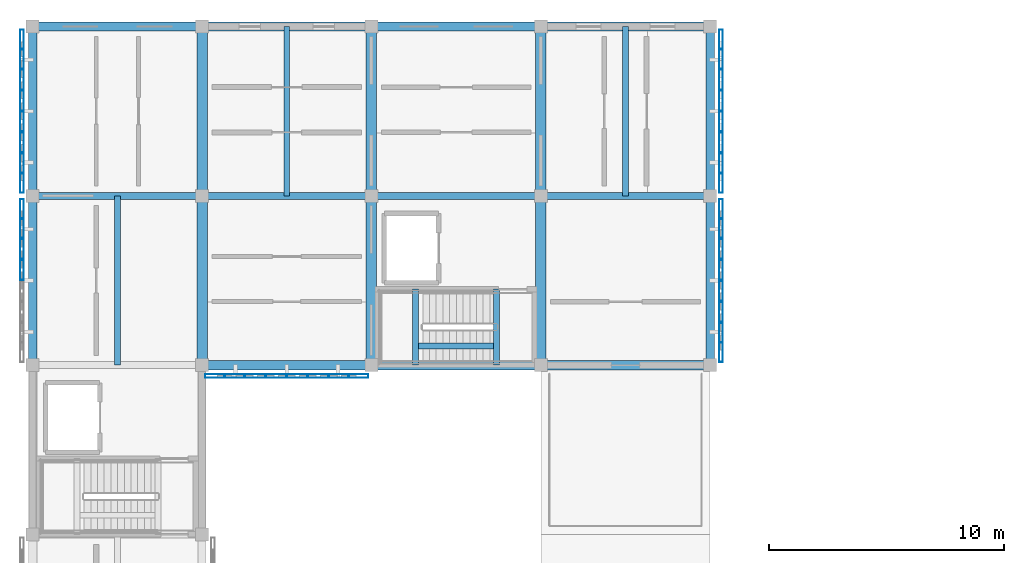
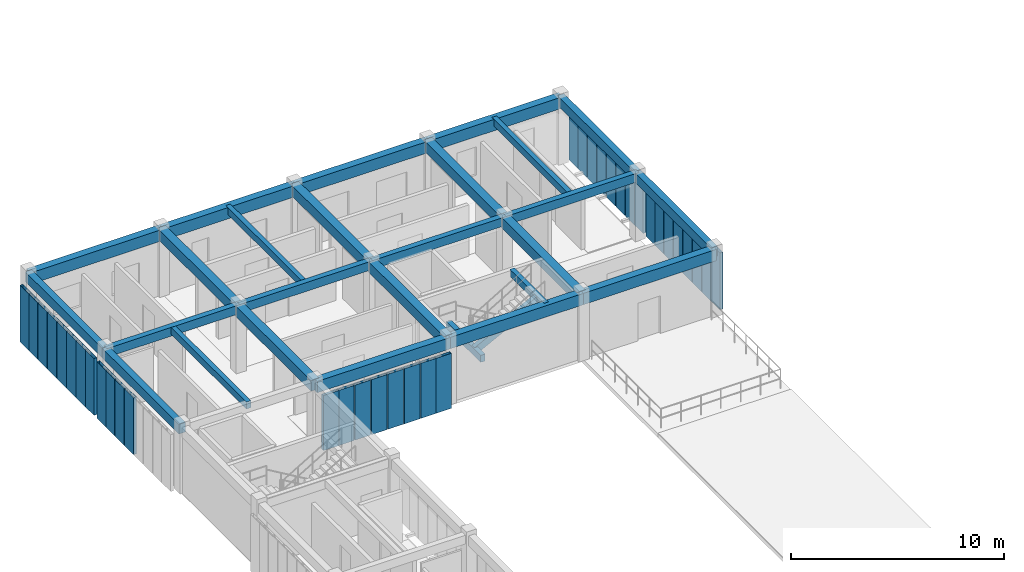
# One storey, part 4 of 33: 36 members, 27 beams, 5 elements without a shape of their own.
"""IFC4 building model written with IfcOpenShell, lengths in metres."""

from ifc_helpers import new_model, si_unit, direction, frame, origin, origin_2d, place, context, subcontext, project, spatial, rectangle, hollow_rectangle, extrude, material, material_profile, profile_set, type_object, element, aggregate, save


model = new_model("IFC4")

# Units and contexts
model_context = context("Model", 3, precision=1e-05, world=origin(), true_north=direction((0.0, 1.0)))
body_context = subcontext(model_context, "Body", "Model", "MODEL_VIEW")
ifc_project = project(units=[si_unit("LENGTHUNIT", "METRE"), si_unit("AREAUNIT", "SQUARE_METRE"), si_unit("VOLUMEUNIT", "CUBIC_METRE"), si_unit("PLANEANGLEUNIT", "RADIAN"), si_unit("MASSUNIT", "GRAM", prefix="KILO")], contexts=[model_context])

# Site, building, storey
site_placement = place(None, origin())
site = spatial("IfcSite", under=ifc_project, at=site_placement, CompositionType="ELEMENT")
building_placement = place(site_placement, origin())
building = spatial("IfcBuilding", under=site, at=building_placement, Name="Aldebral Square Health Centre", CompositionType="ELEMENT")
storey_placement = place(building_placement, frame((0.0, 0.0, 17.550048828125)))
storey = spatial("IfcBuildingStorey", under=building, at=storey_placement, Name="L04", CompositionType="ELEMENT", Elevation=17.550048828125)

# Beams
ifc_material_1 = material(Name="Concrete C40/50", Category="concrete")
ifc_material_profile_1 = material_profile(ifc_material_1, rectangle(XDim=0.39990234375, YDim=0.64990234375, at=origin_2d()), Name="RC 400x650")
ifc_profile_set_1 = profile_set([ifc_material_profile_1], Name="Concrete C40/50")
beam_type_1 = type_object("IfcBeamType", Name="BM-B1", PredefinedType="BEAM", material=ifc_profile_set_1)
for number, where, z_axis, x_axis, name in (
    (1, (0.0, 115.199951171875, 3.474853515625), (1.0, 0.0, 0.0), (0.0, 1.0, 0.0), "L04 X-beam 1-2/G17"),
    (2, (7.199951171875, 100.800048828125, 3.474853515625), (1.0, 0.0, 0.0), (0.0, 1.0, 0.0), "L04 X-beam 2-3/G15"),
    (3, (7.199951171875, 115.199951171875, 3.474853515625), (1.0, 0.0, 0.0), (0.0, 1.0, 0.0), "L04 X-beam 2-3/G17"),
):
    element("IfcBeam", number, at=place(storey_placement, frame(where, z_axis=z_axis, x_axis=x_axis)), inside=storey, type_object=beam_type_1, Name=name, PredefinedType="BEAM", context=body_context, shape_type="SweptSolid", body=[
        extrude(rectangle(XDim=0.39990234375, YDim=0.64990234375, at=origin_2d()), origin(), (0.0, 0.0, 1.0), 7.199951171875),
    ])
for number, where, z_axis, x_axis, name in (
    (4, (14.39990234375, 100.800048828125, 3.474853515625), (1.0, 0.0, 0.0), (0.0, 1.0, 0.0), "L04 X-beam 3-4/G15"),
    (5, (14.39990234375, 115.199951171875, 3.474853515625), (1.0, 0.0, 0.0), (0.0, 1.0, 0.0), "L04 X-beam 3-4/G17"),
):
    element("IfcBeam", number, at=place(storey_placement, frame(where, z_axis=z_axis, x_axis=x_axis)), inside=storey, type_object=beam_type_1, Name=name, PredefinedType="BEAM", context=body_context, shape_type="SweptSolid", body=[
        extrude(rectangle(XDim=0.39990234375, YDim=0.64990234375, at=origin_2d()), origin(), (0.0, 0.0, 1.0), 7.2001953125),
    ])
for number, where, z_axis, x_axis, name in (
    (6, (21.60009765625, 100.800048828125, 3.474853515625), (1.0, 0.0, 0.0), (0.0, 1.0, 0.0), "L04 X-beam 4-5/G15"),
    (7, (21.60009765625, 115.199951171875, 3.474853515625), (1.0, 0.0, 0.0), (0.0, 1.0, 0.0), "L04 X-beam 4-5/G17"),
):
    element("IfcBeam", number, at=place(storey_placement, frame(where, z_axis=z_axis, x_axis=x_axis)), inside=storey, type_object=beam_type_1, Name=name, PredefinedType="BEAM", context=body_context, shape_type="SweptSolid", body=[
        extrude(rectangle(XDim=0.39990234375, YDim=0.64990234375, at=origin_2d()), origin(), (0.0, 0.0, 1.0), 7.199951171875),
    ])
ifc_material_profile_2 = material_profile(ifc_material_1, rectangle(XDim=0.35009765625, YDim=0.550048828125, at=origin_2d()), Name="RC 350x550")
ifc_profile_set_2 = profile_set([ifc_material_profile_2], Name="Concrete C40/50")
beam_type_2 = type_object("IfcBeamType", Name="BM-B3", PredefinedType="BEAM", material=ifc_profile_set_2)
for number, where, z_axis, x_axis, name in (
    (8, (0.0, 100.800048828125, 3.52490234375), (0.0, 1.0, 0.0), (-1.0, 0.0, 0.0), "L04 Y-beam G1/15-16"),
    (9, (0.0, 108.0, 3.52490234375), (0.0, 1.0, 0.0), (-1.0, 0.0, 0.0), "L04 Y-beam G1/16-17"),
    (10, (28.800048828125, 100.800048828125, 3.52490234375), (0.0, 1.0, 0.0), (-1.0, 0.0, 0.0), "L04 Y-beam G5/15-16"),
    (11, (28.800048828125, 108.0, 3.52490234375), (0.0, 1.0, 0.0), (-1.0, 0.0, 0.0), "L04 Y-beam G5/16-17"),
):
    element("IfcBeam", number, at=place(storey_placement, frame(where, z_axis=z_axis, x_axis=x_axis)), inside=storey, type_object=beam_type_2, Name=name, PredefinedType="BEAM", context=body_context, shape_type="SweptSolid", body=[
        extrude(rectangle(XDim=0.35009765625, YDim=0.550048828125, at=origin_2d()), origin(), (0.0, 0.0, 1.0), 7.199951171875),
    ])
ifc_material_profile_3 = material_profile(ifc_material_1, rectangle(XDim=0.300048828125, YDim=0.5, at=origin_2d()), Name="RC 300x500")
ifc_profile_set_3 = profile_set([ifc_material_profile_3], Name="Concrete C40/50")
beam_type_3 = type_object("IfcBeamType", Name="BM-B4", PredefinedType="BEAM", material=ifc_profile_set_3)
for number, where, z_axis, x_axis, name in (
    (12, (0.0, 108.0, 3.550048828125), (1.0, 0.0, 0.0), (0.0, 1.0, 0.0), "L04 X-beam 1-2/G16"),
    (13, (7.199951171875, 108.0, 3.550048828125), (1.0, 0.0, 0.0), (0.0, 1.0, 0.0), "L04 X-beam 2-3/G16"),
):
    element("IfcBeam", number, at=place(storey_placement, frame(where, z_axis=z_axis, x_axis=x_axis)), inside=storey, type_object=beam_type_3, Name=name, PredefinedType="BEAM", context=body_context, shape_type="SweptSolid", body=[
        extrude(rectangle(XDim=0.300048828125, YDim=0.5, at=origin_2d()), origin(), (0.0, 0.0, 1.0), 7.199951171875),
    ])
beam_1_placement = place(storey_placement, frame((14.39990234375, 108.0, 3.550048828125), z_axis=(1.0, 0.0, 0.0), x_axis=(0.0, 1.0, 0.0)))
element("IfcBeam", 14, at=beam_1_placement, inside=storey, type_object=beam_type_3, Name="L04 X-beam 3-4/G16", PredefinedType="BEAM", context=body_context, shape_type="SweptSolid", body=[
    extrude(rectangle(XDim=0.300048828125, YDim=0.5, at=origin_2d()), origin(), (0.0, 0.0, 1.0), 7.2001953125),
])
beam_2_placement = place(storey_placement, frame((21.60009765625, 108.0, 3.550048828125), z_axis=(1.0, 0.0, 0.0), x_axis=(0.0, 1.0, 0.0)))
element("IfcBeam", 15, at=beam_2_placement, inside=storey, type_object=beam_type_3, Name="L04 X-beam 4-5/G16", PredefinedType="BEAM", context=body_context, shape_type="SweptSolid", body=[
    extrude(rectangle(XDim=0.300048828125, YDim=0.5, at=origin_2d()), origin(), (0.0, 0.0, 1.0), 7.199951171875),
])
ifc_material_profile_4 = material_profile(ifc_material_1, rectangle(XDim=0.25, YDim=0.39990234375, at=origin_2d()), Name="RC 250x400")
ifc_profile_set_4 = profile_set([ifc_material_profile_4], Name="Concrete C40/50")
beam_type_4 = type_object("IfcBeamType", Name="BM-B6", PredefinedType="JOIST", material=ifc_profile_set_4)
for number, where, z_axis, x_axis, name in (
    (16, (3.60009765625, 100.800048828125, 3.599853515625), (0.0, 1.0, 0.0), (-1.0, 0.0, 0.0), "L04 secondary rib 1.15"),
    (17, (10.800048828125, 108.0, 3.599853515625), (0.0, 1.0, 0.0), (-1.0, 0.0, 0.0), "L04 secondary rib 2.16"),
    (18, (25.199951171875, 108.0, 3.599853515625), (0.0, 1.0, 0.0), (-1.0, 0.0, 0.0), "L04 secondary rib 4.16"),
):
    element("IfcBeam", number, at=place(storey_placement, frame(where, z_axis=z_axis, x_axis=x_axis)), inside=storey, type_object=beam_type_4, Name=name, PredefinedType="JOIST", context=body_context, shape_type="SweptSolid", body=[
        extrude(rectangle(XDim=0.25, YDim=0.39990234375, at=origin_2d()), origin(), (0.0, 0.0, 1.0), 7.199951171875),
    ])
for number, where, z_axis, x_axis, name in (
    (19, (16.280029296875, 100.81005859375, 1.824951171875), (0.0, 1.0, 0.0), (-1.0, 0.0, 0.0), "L04 WC-C2 half-landing beam"),
    (20, (19.719970703125, 100.81005859375, 3.599853515625), (0.0, 1.0, 0.0), (-1.0, 0.0, 0.0), "L04 WC-C2 upper landing beam"),
):
    element("IfcBeam", number, at=place(storey_placement, frame(where, z_axis=z_axis, x_axis=x_axis)), inside=storey, type_object=beam_type_4, Name=name, PredefinedType="JOIST", context=body_context, shape_type="SweptSolid", body=[
        extrude(rectangle(XDim=0.25, YDim=0.39990234375, at=origin_2d()), origin(), (0.0, 0.0, 1.0), 3.219970703125),
    ])
beam_3_placement = place(storey_placement, frame((16.280029296875, 101.6201171875, 1.824951171875), z_axis=(0.888678694458, 0.0, 0.458530454841), x_axis=(0.0, 1.0, 0.0)))
element("IfcBeam", 21, at=beam_3_placement, inside=storey, type_object=beam_type_4, Name="L04 WC-C2 flight stringer beam", PredefinedType="JOIST", context=body_context, shape_type="SweptSolid", body=[
    extrude(rectangle(XDim=0.25, YDim=0.39990234375, at=origin_2d()), origin(), (0.0, 0.0, 1.0), 3.870849609375),
])
ifc_material_profile_5 = material_profile(ifc_material_1, rectangle(XDim=0.449951171875, YDim=0.60009765625, at=origin_2d()), Name="RC 450x600")
ifc_profile_set_5 = profile_set([ifc_material_profile_5], Name="Concrete C40/50")
beam_type_5 = type_object("IfcBeamType", Name="BM-LN1", PredefinedType="LINTEL", material=ifc_profile_set_5)
for number, where, z_axis, x_axis, name in (
    (22, (7.199951171875, 100.800048828125, 3.5), (0.0, 1.0, 0.0), (-1.0, 0.0, 0.0), "L04 Y-beam G2/15-16"),
    (23, (7.199951171875, 108.0, 3.5), (0.0, 1.0, 0.0), (-1.0, 0.0, 0.0), "L04 Y-beam G2/16-17"),
    (24, (14.39990234375, 100.800048828125, 3.5), (0.0, 1.0, 0.0), (-1.0, 0.0, 0.0), "L04 Y-beam G3/15-16"),
    (25, (14.39990234375, 108.0, 3.5), (0.0, 1.0, 0.0), (-1.0, 0.0, 0.0), "L04 Y-beam G3/16-17"),
    (26, (21.60009765625, 100.800048828125, 3.5), (0.0, 1.0, 0.0), (-1.0, 0.0, 0.0), "L04 Y-beam G4/15-16"),
    (27, (21.60009765625, 108.0, 3.5), (0.0, 1.0, 0.0), (-1.0, 0.0, 0.0), "L04 Y-beam G4/16-17"),
):
    element("IfcBeam", number, at=place(storey_placement, frame(where, z_axis=z_axis, x_axis=x_axis)), inside=storey, type_object=beam_type_5, Name=name, PredefinedType="LINTEL", context=body_context, shape_type="SweptSolid", body=[
        extrude(rectangle(XDim=0.449951171875, YDim=0.60009765625, at=origin_2d()), origin(), (0.0, 0.0, 1.0), 7.199951171875),
    ])

# Curtain wall, members
ifc_material_2 = material(Name="Aluminium and low-E solar glass", Category="aluminium")
curtain_wall_type = type_object("IfcCurtainWallType", Name="CW-FIN-SYS", PredefinedType="USERDEFINED", material=ifc_material_2)
curtain_wall_1_placement = place(storey_placement, origin())
curtain_wall_1 = element("IfcCurtainWall", 28, at=curtain_wall_1_placement, inside=storey, type_object=curtain_wall_type, Name="L04 V4 finned curtain wall L04-V4-00-14-W", ObjectType="SOLAR_CURTAIN_WALL", PredefinedType="USERDEFINED")
ifc_material_3 = material(Name="Sienna-terracotta clad aluminium fin", Category="masonry")
ifc_material_profile_6 = material_profile(ifc_material_3, hollow_rectangle(XDim=0.159912109375, YDim=0.85009765625, WallThickness=0.006103515625, at=origin_2d()), Name="FIN 160x850x6")
ifc_profile_set_6 = profile_set([ifc_material_profile_6], Name="Sienna-terracotta clad aluminium fin")
member_type = type_object("IfcMemberType", Name="CWM-FIN", PredefinedType="MULLION", material=ifc_profile_set_6)
member_1_placement = place(storey_placement, frame((-0.4599609375, 107.43994140625, 0.0), z_axis=(0.0, 0.0, 1.0), x_axis=(1.0, 0.0, 0.0)))
member_1 = element("IfcMember", 29, at=member_1_placement, type_object=member_type, Name="CW1 mullion 1", PredefinedType="MULLION", context=body_context, shape_type="SweptSolid", body=[
    extrude(hollow_rectangle(XDim=0.159912109375, YDim=0.85009765625, WallThickness=0.006103515625, at=origin_2d()), origin(), (0.0, 0.0, 1.0), 3.25),
])
member_2_placement = place(storey_placement, frame((-0.4599609375, 106.628662109375, 0.0), z_axis=(0.0, 0.0, 1.0), x_axis=(1.0, 0.0, 0.0)))
member_2 = element("IfcMember", 30, at=member_2_placement, type_object=member_type, Name="CW1 mullion 2", PredefinedType="MULLION", context=body_context, shape_type="SweptSolid", body=[
    extrude(hollow_rectangle(XDim=0.159912109375, YDim=0.85009765625, WallThickness=0.006103515625, at=origin_2d()), origin(), (0.0, 0.0, 1.0), 3.25),
])
member_3_placement = place(storey_placement, frame((-0.4599609375, 105.737060546875, 0.0), z_axis=(0.0, 0.0, 1.0), x_axis=(1.0, 0.0, 0.0)))
member_3 = element("IfcMember", 31, at=member_3_placement, type_object=member_type, Name="CW1 mullion 3", PredefinedType="MULLION", context=body_context, shape_type="SweptSolid", body=[
    extrude(hollow_rectangle(XDim=0.159912109375, YDim=0.85009765625, WallThickness=0.006103515625, at=origin_2d()), origin(), (0.0, 0.0, 1.0), 3.25),
])
member_4_placement = place(storey_placement, frame((-0.4599609375, 104.845703125, 0.0), z_axis=(0.0, 0.0, 1.0), x_axis=(1.0, 0.0, 0.0)))
member_4 = element("IfcMember", 32, at=member_4_placement, type_object=member_type, Name="CW1 mullion 4", PredefinedType="MULLION", context=body_context, shape_type="SweptSolid", body=[
    extrude(hollow_rectangle(XDim=0.159912109375, YDim=0.85009765625, WallThickness=0.006103515625, at=origin_2d()), origin(), (0.0, 0.0, 1.0), 3.25),
])
aggregate(curtain_wall_1, [member_1, member_2, member_3, member_4])

curtain_wall_2_placement = place(storey_placement, origin())
curtain_wall_2 = element("IfcCurtainWall", 33, at=curtain_wall_2_placement, inside=storey, type_object=curtain_wall_type, Name="L04 V4 finned curtain wall L04-V4-00-15-W", ObjectType="SOLAR_CURTAIN_WALL", PredefinedType="USERDEFINED")
member_5_placement = place(storey_placement, frame((-0.4599609375, 114.639892578125, 0.0), z_axis=(0.0, 0.0, 1.0), x_axis=(1.0, 0.0, 0.0)))
member_5 = element("IfcMember", 34, at=member_5_placement, type_object=member_type, Name="CW1 mullion 1", PredefinedType="MULLION", context=body_context, shape_type="SweptSolid", body=[
    extrude(hollow_rectangle(XDim=0.159912109375, YDim=0.85009765625, WallThickness=0.006103515625, at=origin_2d()), origin(), (0.0, 0.0, 1.0), 3.25),
])
member_6_placement = place(storey_placement, frame((-0.4599609375, 113.82861328125, 0.0), z_axis=(0.0, 0.0, 1.0), x_axis=(1.0, 0.0, 0.0)))
member_6 = element("IfcMember", 35, at=member_6_placement, type_object=member_type, Name="CW1 mullion 2", PredefinedType="MULLION", context=body_context, shape_type="SweptSolid", body=[
    extrude(hollow_rectangle(XDim=0.159912109375, YDim=0.85009765625, WallThickness=0.006103515625, at=origin_2d()), origin(), (0.0, 0.0, 1.0), 3.25),
])
member_7_placement = place(storey_placement, frame((-0.4599609375, 112.937255859375, 0.0), z_axis=(0.0, 0.0, 1.0), x_axis=(1.0, 0.0, 0.0)))
member_7 = element("IfcMember", 36, at=member_7_placement, type_object=member_type, Name="CW1 mullion 3", PredefinedType="MULLION", context=body_context, shape_type="SweptSolid", body=[
    extrude(hollow_rectangle(XDim=0.159912109375, YDim=0.85009765625, WallThickness=0.006103515625, at=origin_2d()), origin(), (0.0, 0.0, 1.0), 3.25),
])
member_8_placement = place(storey_placement, frame((-0.4599609375, 112.045654296875, 0.0), z_axis=(0.0, 0.0, 1.0), x_axis=(1.0, 0.0, 0.0)))
member_8 = element("IfcMember", 37, at=member_8_placement, type_object=member_type, Name="CW1 mullion 4", PredefinedType="MULLION", context=body_context, shape_type="SweptSolid", body=[
    extrude(hollow_rectangle(XDim=0.159912109375, YDim=0.85009765625, WallThickness=0.006103515625, at=origin_2d()), origin(), (0.0, 0.0, 1.0), 3.25),
])
member_9_placement = place(storey_placement, frame((-0.4599609375, 111.154296875, 0.0), z_axis=(0.0, 0.0, 1.0), x_axis=(1.0, 0.0, 0.0)))
member_9 = element("IfcMember", 38, at=member_9_placement, type_object=member_type, Name="CW1 mullion 5", PredefinedType="MULLION", context=body_context, shape_type="SweptSolid", body=[
    extrude(hollow_rectangle(XDim=0.159912109375, YDim=0.85009765625, WallThickness=0.006103515625, at=origin_2d()), origin(), (0.0, 0.0, 1.0), 3.25),
])
member_10_placement = place(storey_placement, frame((-0.4599609375, 110.262939453125, 0.0), z_axis=(0.0, 0.0, 1.0), x_axis=(1.0, 0.0, 0.0)))
member_10 = element("IfcMember", 39, at=member_10_placement, type_object=member_type, Name="CW1 mullion 6", PredefinedType="MULLION", context=body_context, shape_type="SweptSolid", body=[
    extrude(hollow_rectangle(XDim=0.159912109375, YDim=0.85009765625, WallThickness=0.006103515625, at=origin_2d()), origin(), (0.0, 0.0, 1.0), 3.25),
])
member_11_placement = place(storey_placement, frame((-0.4599609375, 109.371337890625, 0.0), z_axis=(0.0, 0.0, 1.0), x_axis=(1.0, 0.0, 0.0)))
member_11 = element("IfcMember", 40, at=member_11_placement, type_object=member_type, Name="CW1 mullion 7", PredefinedType="MULLION", context=body_context, shape_type="SweptSolid", body=[
    extrude(hollow_rectangle(XDim=0.159912109375, YDim=0.85009765625, WallThickness=0.006103515625, at=origin_2d()), origin(), (0.0, 0.0, 1.0), 3.25),
])
member_12_placement = place(storey_placement, frame((-0.4599609375, 108.56005859375, 0.0), z_axis=(0.0, 0.0, 1.0), x_axis=(1.0, 0.0, 0.0)))
member_12 = element("IfcMember", 41, at=member_12_placement, type_object=member_type, Name="CW1 mullion 8", PredefinedType="MULLION", context=body_context, shape_type="SweptSolid", body=[
    extrude(hollow_rectangle(XDim=0.159912109375, YDim=0.85009765625, WallThickness=0.006103515625, at=origin_2d()), origin(), (0.0, 0.0, 1.0), 3.25),
])
aggregate(curtain_wall_2, [member_5, member_6, member_7, member_8, member_9, member_10, member_11, member_12])

curtain_wall_3_placement = place(storey_placement, origin())
curtain_wall_3 = element("IfcCurtainWall", 42, at=curtain_wall_3_placement, inside=storey, type_object=curtain_wall_type, Name="L04 V4 finned curtain wall L04-V4-01-14-S", ObjectType="SOLAR_CURTAIN_WALL", PredefinedType="USERDEFINED")
member_13_placement = place(storey_placement, frame((7.760009765625, 100.340087890625, 0.0), z_axis=(0.0, 0.0, 1.0), x_axis=(0.0, 1.0, 0.0)))
member_13 = element("IfcMember", 43, at=member_13_placement, type_object=member_type, Name="CW1 mullion 1", PredefinedType="MULLION", context=body_context, shape_type="SweptSolid", body=[
    extrude(hollow_rectangle(XDim=0.159912109375, YDim=0.85009765625, WallThickness=0.006103515625, at=origin_2d()), origin(), (0.0, 0.0, 1.0), 3.14990234375),
])
member_14_placement = place(storey_placement, frame((8.571533203125, 100.340087890625, 0.0), z_axis=(0.0, 0.0, 1.0), x_axis=(0.0, 1.0, 0.0)))
member_14 = element("IfcMember", 44, at=member_14_placement, type_object=member_type, Name="CW1 mullion 2", PredefinedType="MULLION", context=body_context, shape_type="SweptSolid", body=[
    extrude(hollow_rectangle(XDim=0.159912109375, YDim=0.85009765625, WallThickness=0.006103515625, at=origin_2d()), origin(), (0.0, 0.0, 1.0), 3.14990234375),
])
member_15_placement = place(storey_placement, frame((9.462890625, 100.340087890625, 0.0), z_axis=(0.0, 0.0, 1.0), x_axis=(0.0, 1.0, 0.0)))
member_15 = element("IfcMember", 45, at=member_15_placement, type_object=member_type, Name="CW1 mullion 3", PredefinedType="MULLION", context=body_context, shape_type="SweptSolid", body=[
    extrude(hollow_rectangle(XDim=0.159912109375, YDim=0.85009765625, WallThickness=0.006103515625, at=origin_2d()), origin(), (0.0, 0.0, 1.0), 3.14990234375),
])
member_16_placement = place(storey_placement, frame((10.354248046875, 100.340087890625, 0.0), z_axis=(0.0, 0.0, 1.0), x_axis=(0.0, 1.0, 0.0)))
member_16 = element("IfcMember", 46, at=member_16_placement, type_object=member_type, Name="CW1 mullion 4", PredefinedType="MULLION", context=body_context, shape_type="SweptSolid", body=[
    extrude(hollow_rectangle(XDim=0.159912109375, YDim=0.85009765625, WallThickness=0.006103515625, at=origin_2d()), origin(), (0.0, 0.0, 1.0), 3.14990234375),
])
member_17_placement = place(storey_placement, frame((11.24560546875, 100.340087890625, 0.0), z_axis=(0.0, 0.0, 1.0), x_axis=(0.0, 1.0, 0.0)))
member_17 = element("IfcMember", 47, at=member_17_placement, type_object=member_type, Name="CW1 mullion 5", PredefinedType="MULLION", context=body_context, shape_type="SweptSolid", body=[
    extrude(hollow_rectangle(XDim=0.159912109375, YDim=0.85009765625, WallThickness=0.006103515625, at=origin_2d()), origin(), (0.0, 0.0, 1.0), 3.14990234375),
])
member_18_placement = place(storey_placement, frame((12.13720703125, 100.340087890625, 0.0), z_axis=(0.0, 0.0, 1.0), x_axis=(0.0, 1.0, 0.0)))
member_18 = element("IfcMember", 48, at=member_18_placement, type_object=member_type, Name="CW1 mullion 6", PredefinedType="MULLION", context=body_context, shape_type="SweptSolid", body=[
    extrude(hollow_rectangle(XDim=0.159912109375, YDim=0.85009765625, WallThickness=0.006103515625, at=origin_2d()), origin(), (0.0, 0.0, 1.0), 3.14990234375),
])
member_19_placement = place(storey_placement, frame((13.028564453125, 100.340087890625, 0.0), z_axis=(0.0, 0.0, 1.0), x_axis=(0.0, 1.0, 0.0)))
member_19 = element("IfcMember", 49, at=member_19_placement, type_object=member_type, Name="CW1 mullion 7", PredefinedType="MULLION", context=body_context, shape_type="SweptSolid", body=[
    extrude(hollow_rectangle(XDim=0.159912109375, YDim=0.85009765625, WallThickness=0.006103515625, at=origin_2d()), origin(), (0.0, 0.0, 1.0), 3.14990234375),
])
member_20_placement = place(storey_placement, frame((13.840087890625, 100.340087890625, 0.0), z_axis=(0.0, 0.0, 1.0), x_axis=(0.0, 1.0, 0.0)))
member_20 = element("IfcMember", 50, at=member_20_placement, type_object=member_type, Name="CW1 mullion 8", PredefinedType="MULLION", context=body_context, shape_type="SweptSolid", body=[
    extrude(hollow_rectangle(XDim=0.159912109375, YDim=0.85009765625, WallThickness=0.006103515625, at=origin_2d()), origin(), (0.0, 0.0, 1.0), 3.14990234375),
])
aggregate(curtain_wall_3, [member_13, member_14, member_15, member_16, member_17, member_18, member_19, member_20])

curtain_wall_4_placement = place(storey_placement, origin())
curtain_wall_4 = element("IfcCurtainWall", 51, at=curtain_wall_4_placement, inside=storey, type_object=curtain_wall_type, Name="L04 V4 finned curtain wall L04-V4-03-14-E", ObjectType="SOLAR_CURTAIN_WALL", PredefinedType="USERDEFINED")
member_21_placement = place(storey_placement, frame((29.260009765625, 101.360107421875, 0.0), z_axis=(0.0, 0.0, 1.0), x_axis=(-1.0, 0.0, 0.0)))
member_21 = element("IfcMember", 52, at=member_21_placement, type_object=member_type, Name="CW1 mullion 1", PredefinedType="MULLION", context=body_context, shape_type="SweptSolid", body=[
    extrude(hollow_rectangle(XDim=0.159912109375, YDim=0.85009765625, WallThickness=0.006103515625, at=origin_2d()), origin(), (0.0, 0.0, 1.0), 3.25),
])
member_22_placement = place(storey_placement, frame((29.260009765625, 102.17138671875, 0.0), z_axis=(0.0, 0.0, 1.0), x_axis=(-1.0, 0.0, 0.0)))
member_22 = element("IfcMember", 53, at=member_22_placement, type_object=member_type, Name="CW1 mullion 2", PredefinedType="MULLION", context=body_context, shape_type="SweptSolid", body=[
    extrude(hollow_rectangle(XDim=0.159912109375, YDim=0.85009765625, WallThickness=0.006103515625, at=origin_2d()), origin(), (0.0, 0.0, 1.0), 3.25),
])
member_23_placement = place(storey_placement, frame((29.260009765625, 103.062744140625, 0.0), z_axis=(0.0, 0.0, 1.0), x_axis=(-1.0, 0.0, 0.0)))
member_23 = element("IfcMember", 54, at=member_23_placement, type_object=member_type, Name="CW1 mullion 3", PredefinedType="MULLION", context=body_context, shape_type="SweptSolid", body=[
    extrude(hollow_rectangle(XDim=0.159912109375, YDim=0.85009765625, WallThickness=0.006103515625, at=origin_2d()), origin(), (0.0, 0.0, 1.0), 3.25),
])
member_24_placement = place(storey_placement, frame((29.260009765625, 103.954345703125, 0.0), z_axis=(0.0, 0.0, 1.0), x_axis=(-1.0, 0.0, 0.0)))
member_24 = element("IfcMember", 55, at=member_24_placement, type_object=member_type, Name="CW1 mullion 4", PredefinedType="MULLION", context=body_context, shape_type="SweptSolid", body=[
    extrude(hollow_rectangle(XDim=0.159912109375, YDim=0.85009765625, WallThickness=0.006103515625, at=origin_2d()), origin(), (0.0, 0.0, 1.0), 3.25),
])
member_25_placement = place(storey_placement, frame((29.260009765625, 104.845703125, 0.0), z_axis=(0.0, 0.0, 1.0), x_axis=(-1.0, 0.0, 0.0)))
member_25 = element("IfcMember", 56, at=member_25_placement, type_object=member_type, Name="CW1 mullion 5", PredefinedType="MULLION", context=body_context, shape_type="SweptSolid", body=[
    extrude(hollow_rectangle(XDim=0.159912109375, YDim=0.85009765625, WallThickness=0.006103515625, at=origin_2d()), origin(), (0.0, 0.0, 1.0), 3.25),
])
member_26_placement = place(storey_placement, frame((29.260009765625, 105.737060546875, 0.0), z_axis=(0.0, 0.0, 1.0), x_axis=(-1.0, 0.0, 0.0)))
member_26 = element("IfcMember", 57, at=member_26_placement, type_object=member_type, Name="CW1 mullion 6", PredefinedType="MULLION", context=body_context, shape_type="SweptSolid", body=[
    extrude(hollow_rectangle(XDim=0.159912109375, YDim=0.85009765625, WallThickness=0.006103515625, at=origin_2d()), origin(), (0.0, 0.0, 1.0), 3.25),
])
member_27_placement = place(storey_placement, frame((29.260009765625, 106.628662109375, 0.0), z_axis=(0.0, 0.0, 1.0), x_axis=(-1.0, 0.0, 0.0)))
member_27 = element("IfcMember", 58, at=member_27_placement, type_object=member_type, Name="CW1 mullion 7", PredefinedType="MULLION", context=body_context, shape_type="SweptSolid", body=[
    extrude(hollow_rectangle(XDim=0.159912109375, YDim=0.85009765625, WallThickness=0.006103515625, at=origin_2d()), origin(), (0.0, 0.0, 1.0), 3.25),
])
member_28_placement = place(storey_placement, frame((29.260009765625, 107.43994140625, 0.0), z_axis=(0.0, 0.0, 1.0), x_axis=(-1.0, 0.0, 0.0)))
member_28 = element("IfcMember", 59, at=member_28_placement, type_object=member_type, Name="CW1 mullion 8", PredefinedType="MULLION", context=body_context, shape_type="SweptSolid", body=[
    extrude(hollow_rectangle(XDim=0.159912109375, YDim=0.85009765625, WallThickness=0.006103515625, at=origin_2d()), origin(), (0.0, 0.0, 1.0), 3.25),
])
aggregate(curtain_wall_4, [member_21, member_22, member_23, member_24, member_25, member_26, member_27, member_28])

curtain_wall_5_placement = place(storey_placement, origin())
curtain_wall_5 = element("IfcCurtainWall", 60, at=curtain_wall_5_placement, inside=storey, type_object=curtain_wall_type, Name="L04 V4 finned curtain wall L04-V4-03-15-E", ObjectType="SOLAR_CURTAIN_WALL", PredefinedType="USERDEFINED")
member_29_placement = place(storey_placement, frame((29.260009765625, 108.56005859375, 0.0), z_axis=(0.0, 0.0, 1.0), x_axis=(-1.0, 0.0, 0.0)))
member_29 = element("IfcMember", 61, at=member_29_placement, type_object=member_type, Name="CW1 mullion 1", PredefinedType="MULLION", context=body_context, shape_type="SweptSolid", body=[
    extrude(hollow_rectangle(XDim=0.159912109375, YDim=0.85009765625, WallThickness=0.006103515625, at=origin_2d()), origin(), (0.0, 0.0, 1.0), 3.25),
])
member_30_placement = place(storey_placement, frame((29.260009765625, 109.371337890625, 0.0), z_axis=(0.0, 0.0, 1.0), x_axis=(-1.0, 0.0, 0.0)))
member_30 = element("IfcMember", 62, at=member_30_placement, type_object=member_type, Name="CW1 mullion 2", PredefinedType="MULLION", context=body_context, shape_type="SweptSolid", body=[
    extrude(hollow_rectangle(XDim=0.159912109375, YDim=0.85009765625, WallThickness=0.006103515625, at=origin_2d()), origin(), (0.0, 0.0, 1.0), 3.25),
])
member_31_placement = place(storey_placement, frame((29.260009765625, 110.262939453125, 0.0), z_axis=(0.0, 0.0, 1.0), x_axis=(-1.0, 0.0, 0.0)))
member_31 = element("IfcMember", 63, at=member_31_placement, type_object=member_type, Name="CW1 mullion 3", PredefinedType="MULLION", context=body_context, shape_type="SweptSolid", body=[
    extrude(hollow_rectangle(XDim=0.159912109375, YDim=0.85009765625, WallThickness=0.006103515625, at=origin_2d()), origin(), (0.0, 0.0, 1.0), 3.25),
])
member_32_placement = place(storey_placement, frame((29.260009765625, 111.154296875, 0.0), z_axis=(0.0, 0.0, 1.0), x_axis=(-1.0, 0.0, 0.0)))
member_32 = element("IfcMember", 64, at=member_32_placement, type_object=member_type, Name="CW1 mullion 4", PredefinedType="MULLION", context=body_context, shape_type="SweptSolid", body=[
    extrude(hollow_rectangle(XDim=0.159912109375, YDim=0.85009765625, WallThickness=0.006103515625, at=origin_2d()), origin(), (0.0, 0.0, 1.0), 3.25),
])
member_33_placement = place(storey_placement, frame((29.260009765625, 112.045654296875, 0.0), z_axis=(0.0, 0.0, 1.0), x_axis=(-1.0, 0.0, 0.0)))
member_33 = element("IfcMember", 65, at=member_33_placement, type_object=member_type, Name="CW1 mullion 5", PredefinedType="MULLION", context=body_context, shape_type="SweptSolid", body=[
    extrude(hollow_rectangle(XDim=0.159912109375, YDim=0.85009765625, WallThickness=0.006103515625, at=origin_2d()), origin(), (0.0, 0.0, 1.0), 3.25),
])
member_34_placement = place(storey_placement, frame((29.260009765625, 112.937255859375, 0.0), z_axis=(0.0, 0.0, 1.0), x_axis=(-1.0, 0.0, 0.0)))
member_34 = element("IfcMember", 66, at=member_34_placement, type_object=member_type, Name="CW1 mullion 6", PredefinedType="MULLION", context=body_context, shape_type="SweptSolid", body=[
    extrude(hollow_rectangle(XDim=0.159912109375, YDim=0.85009765625, WallThickness=0.006103515625, at=origin_2d()), origin(), (0.0, 0.0, 1.0), 3.25),
])
member_35_placement = place(storey_placement, frame((29.260009765625, 113.82861328125, 0.0), z_axis=(0.0, 0.0, 1.0), x_axis=(-1.0, 0.0, 0.0)))
member_35 = element("IfcMember", 67, at=member_35_placement, type_object=member_type, Name="CW1 mullion 7", PredefinedType="MULLION", context=body_context, shape_type="SweptSolid", body=[
    extrude(hollow_rectangle(XDim=0.159912109375, YDim=0.85009765625, WallThickness=0.006103515625, at=origin_2d()), origin(), (0.0, 0.0, 1.0), 3.25),
])
member_36_placement = place(storey_placement, frame((29.260009765625, 114.639892578125, 0.0), z_axis=(0.0, 0.0, 1.0), x_axis=(-1.0, 0.0, 0.0)))
member_36 = element("IfcMember", 68, at=member_36_placement, type_object=member_type, Name="CW1 mullion 8", PredefinedType="MULLION", context=body_context, shape_type="SweptSolid", body=[
    extrude(hollow_rectangle(XDim=0.159912109375, YDim=0.85009765625, WallThickness=0.006103515625, at=origin_2d()), origin(), (0.0, 0.0, 1.0), 3.25),
])
aggregate(curtain_wall_5, [member_29, member_30, member_31, member_32, member_33, member_34, member_35, member_36])

save(model, "model.ifc")
